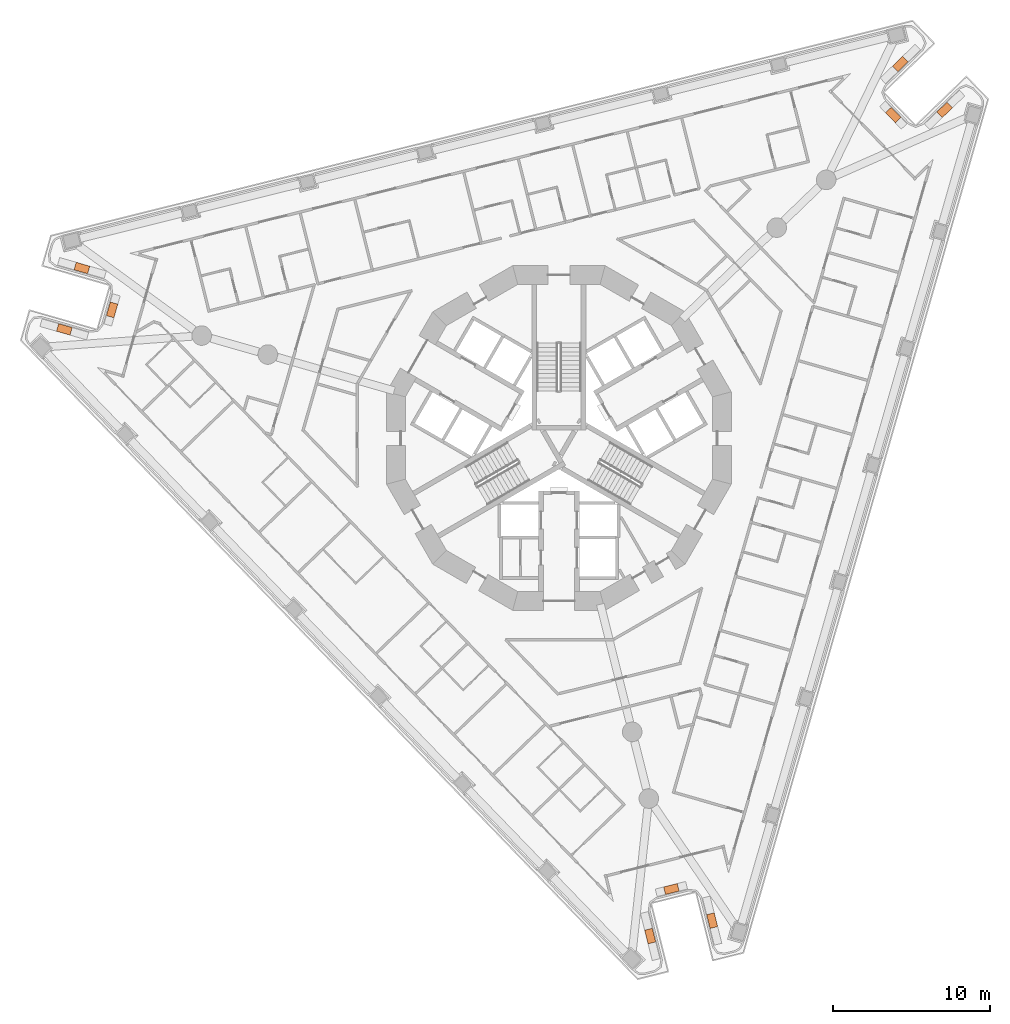
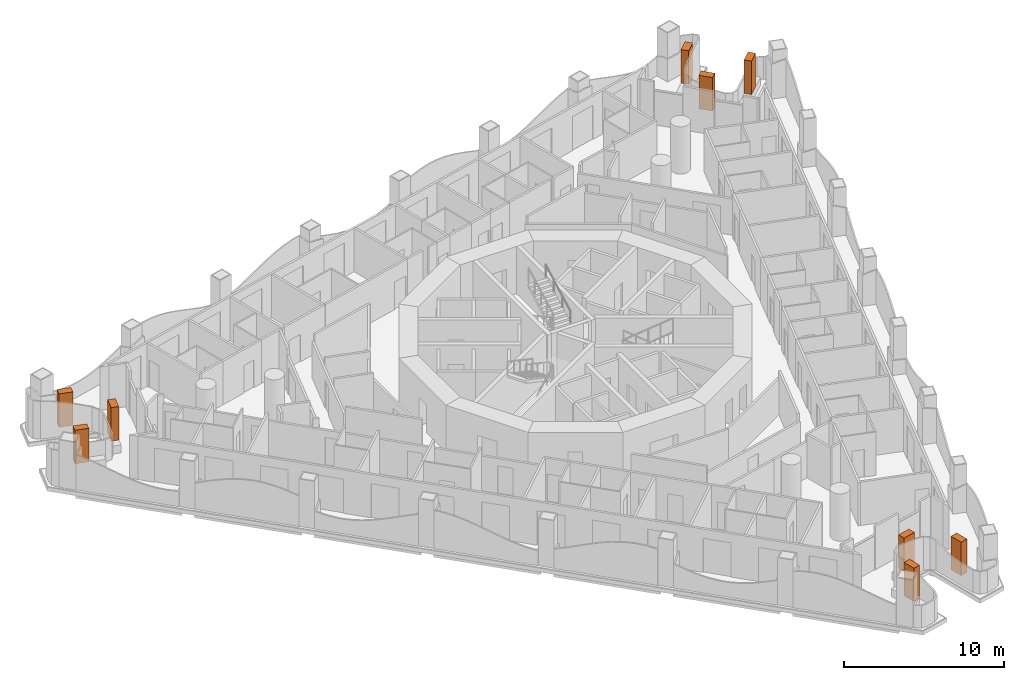
# One storey, part 20 of 20: 9 geographic elements.
"""IFC4 building model written with IfcOpenShell, lengths in metres."""

from ifc_helpers import new_model, si_unit, direction, frame, origin, origin_2d, place, context, subcontext, project, spatial, rectangle, extrude, element, save


model = new_model("IFC4")

# Units and contexts
model_context = context("Model", 3, precision=1e-05, world=origin(), true_north=direction((0.0, 1.0)))
body_context = subcontext(model_context, "Body", "Model", "MODEL_VIEW")
ifc_project = project(units=[si_unit("LENGTHUNIT", "METRE"), si_unit("AREAUNIT", "SQUARE_METRE"), si_unit("VOLUMEUNIT", "CUBIC_METRE"), si_unit("PLANEANGLEUNIT", "RADIAN"), si_unit("MASSUNIT", "GRAM", prefix="KILO")], contexts=[model_context])

# Site, building, storey
site_placement = place(None, origin())
site = spatial("IfcSite", under=ifc_project, at=site_placement, CompositionType="ELEMENT")
building_placement = place(site_placement, origin())
building = spatial("IfcBuilding", under=site, at=building_placement, Name="Trine Commons Tower", CompositionType="ELEMENT")
storey_placement = place(building_placement, frame((0.0, 0.0, 101.699951171875)))
storey = spatial("IfcBuildingStorey", under=building, at=storey_placement, Name="L25", CompositionType="ELEMENT", Elevation=101.699951171875)

# Geographic elements
for number, where, z_axis, x_axis, name in (
    (1, (48.400634765625, 69.438720703125, 0.60009765625), (0.0, 0.0, 1.0), (0.961260733777, -0.275640711252, 0.0), "Tree 1.1"),
    (2, (51.45263671875, 70.685791015625, 0.60009765625), (0.0, 0.0, 1.0), (0.275645744397, 0.961259290512, 0.0), "Tree 2.1"),
    (3, (49.525146484375, 73.360595703125, 0.60009765625), (0.0, 0.0, 1.0), (-0.961262658088, 0.275634000379, 0.0), "Tree 3.1"),
    (4, (101.808837890625, 86.396484375, 0.60009765625), (0.0, 0.0, 1.0), (-0.719332525854, -0.69466590333, 0.0), "Tree 4.1"),
    (5, (101.36279296875, 83.1298828125, 0.60009765625), (0.0, 0.0, 1.0), (0.694658370459, -0.719339800339, 0.0), "Tree 5.1"),
    (6, (104.64306640625, 83.461669921875, 0.60009765625), (0.0, 0.0, 1.0), (0.719362835687, 0.694634515866, 0.0), "Tree 6.1"),
    (7, (89.79052734375, 31.664794921875, 0.60009765625), (0.0, 0.0, 1.0), (-0.241908347692, 0.970299104048, 0.0), "Tree 7.1"),
    (8, (87.1845703125, 33.684326171875, 0.60009765625), (0.0, 0.0, 1.0), (-0.970297415186, -0.241915121652, 0.0), "Tree 8.1"),
    (9, (85.831787109375, 30.677734375, 0.60009765625), (0.0, 0.0, 1.0), (0.241908347692, -0.970299104048, 0.0), "Tree 9.1"),
):
    element("IfcGeographicElement", number, at=place(storey_placement, frame(where, z_axis=z_axis, x_axis=x_axis)), inside=storey, Name=name, ObjectType="TREE Tabebuia rosea", PredefinedType="USERDEFINED", context=body_context, shape_type="SweptSolid", body=[
        extrude(rectangle(XDim=0.89990234375, YDim=0.5, at=origin_2d()), origin(), (0.0, 0.0, 1.0), 2.550048828125),
    ])

save(model, "model.ifc")
